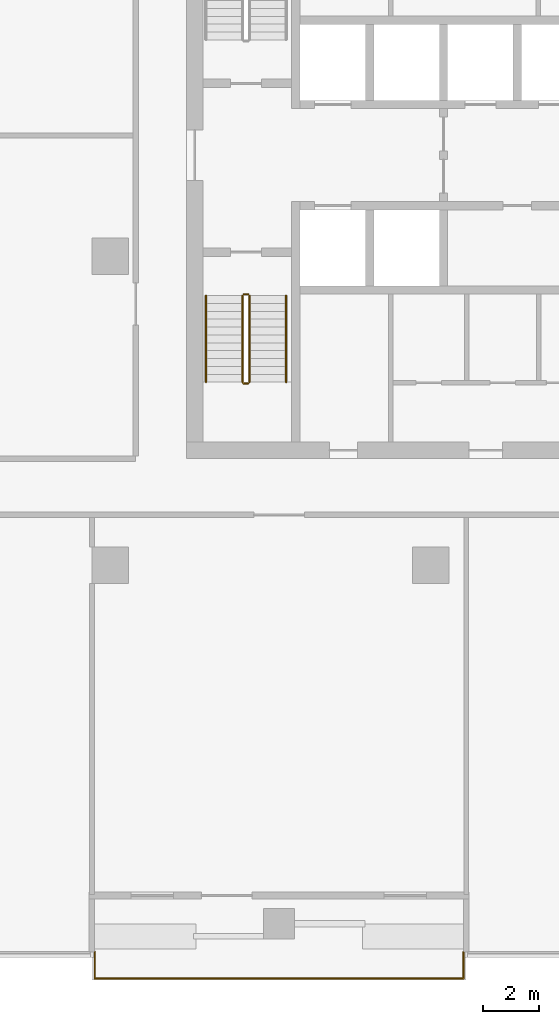
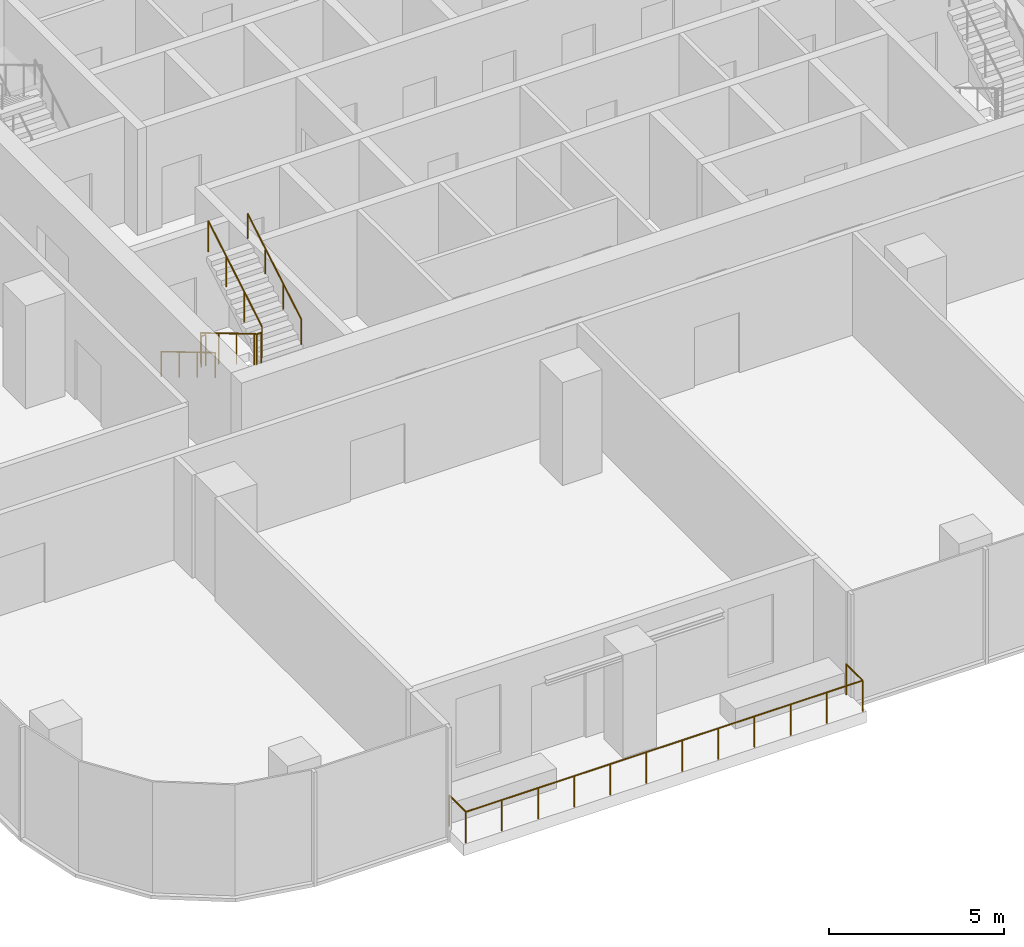
# One storey, part 11 of 14: 6 railings.
"""IFC4 building model written with IfcOpenShell, lengths in metres."""

import ifcopenshell
import ifcopenshell.guid

model = None  # the IFC model being written
_history = None  # IfcOwnerHistory: only IFC2X3 demands one
_inside = {}  # id of a spatial element -> (the spatial element, [elements in it])
_under = {}  # id of a project, library or spatial element -> (it, [spatial elements below it])
_declared = {}  # id of a project -> (the project, [libraries it declares])
_typed = {}  # id of a type object -> (the type object, [elements of that type])
_made_of = {}  # id of a material, layer set ... -> (it, [elements and type objects made of it])


def new_model(schema):
    """Start an empty IFC model of exactly this schema.

    Asked for "IFC4X3", IfcOpenShell would pick the latest addendum, in which some entities
    have other attributes; the version numbers below select the first issue.
    IFC2X3 requires an IfcOwnerHistory on every rooted entity: one is made here for all.
    """
    global model, _history
    if schema == "IFC4X3":
        model = ifcopenshell.file(schema_version=(4, 3, 0, 0))
    else:
        model = ifcopenshell.file(schema=schema)
    _inside.clear()
    _under.clear()
    _declared.clear()
    _typed.clear()
    _made_of.clear()
    _history = None
    if model.schema == "IFC2X3":
        org = make("IfcOrganization", Name="unknown")
        user = make(
            "IfcPersonAndOrganization",
            ThePerson=make("IfcPerson", FamilyName="unknown"),
            TheOrganization=org,
        )
        app = make(
            "IfcApplication",
            ApplicationDeveloper=org,
            Version="unknown",
            ApplicationFullName="unknown",
            ApplicationIdentifier="unknown",
        )
        _history = make(
            "IfcOwnerHistory",
            OwningUser=user,
            OwningApplication=app,
            ChangeAction="ADDED",
            CreationDate=0,
        )
    return model


def make(cls, **values):
    """One entity of the class cls with the attributes given. An attribute that is None is left unset."""
    return model.create_entity(
        cls, **{name: value for name, value in values.items() if value is not None}
    )


def rooted(cls, **values):
    """An entity with a GlobalId (a new one), such as an element, a storey or a relation."""
    return make(cls, GlobalId=ifcopenshell.guid.new(), OwnerHistory=_history, **values)


def si_unit(unit_type, name, prefix=None):
    """IfcSIUnit, for example si_unit("LENGTHUNIT", "METRE", prefix="MILLI")."""
    return make("IfcSIUnit", UnitType=unit_type, Prefix=prefix, Name=name)


def assignment(units):
    """IfcUnitAssignment: the units of a project."""
    return None if units is None else make("IfcUnitAssignment", Units=units)


def point(xyz):
    """IfcCartesianPoint."""
    return None if xyz is None else make("IfcCartesianPoint", Coordinates=xyz)


def direction(xyz):
    """IfcDirection."""
    return None if xyz is None else make("IfcDirection", DirectionRatios=xyz)


def frame(location, z_axis=None, x_axis=None):
    """IfcAxis2Placement3D, a coordinate frame: its origin and axes. An axis left out is left unset."""
    return make(
        "IfcAxis2Placement3D",
        Location=point(location),
        Axis=direction(z_axis),
        RefDirection=direction(x_axis),
    )


def frame_2d(location, x_axis=None):
    """IfcAxis2Placement2D, a coordinate frame in the plane: its origin and x axis."""
    return make(
        "IfcAxis2Placement2D", Location=point(location), RefDirection=direction(x_axis)
    )


def origin():
    """The frame at (0, 0, 0) with its axes left unset."""
    return frame((0.0, 0.0, 0.0))


def origin_2d():
    """The frame at (0, 0) in the plane with its x axis left unset."""
    return frame_2d((0.0, 0.0))


def place(relative_to, where):
    """IfcLocalPlacement: puts the frame where relative to a parent placement (None: the world)."""
    return make(
        "IfcLocalPlacement", PlacementRelTo=relative_to, RelativePlacement=where
    )


def context(
    kind, dimensions, precision=None, world=None, true_north=None, identifier=None
):
    """IfcGeometricRepresentationContext, for example the 3D "Model" context."""
    return make(
        "IfcGeometricRepresentationContext",
        ContextIdentifier=identifier,
        ContextType=kind,
        CoordinateSpaceDimension=dimensions,
        Precision=precision,
        WorldCoordinateSystem=world,
        TrueNorth=true_north,
    )


def subcontext(parent, identifier, kind, view, scale=None):
    """IfcGeometricRepresentationSubContext, for example "Body" below "Model"."""
    return make(
        "IfcGeometricRepresentationSubContext",
        ContextIdentifier=identifier,
        ContextType=kind,
        ParentContext=parent,
        TargetScale=scale,
        TargetView=view,
    )


def project(units=None, contexts=None):
    """IfcProject with its units and contexts."""
    return rooted(
        "IfcProject",
        Name="project",
        RepresentationContexts=contexts,
        UnitsInContext=assignment(units),
    )


def spatial(cls, under=None, at=None, **own):
    """A site, building, storey or space (cls), placed at a placement, below another one or the project."""
    s = rooted(cls, ObjectPlacement=at, **own)
    if under is not None:
        _under.setdefault(under.id(), (under, []))[1].append(s)
    return s


def profile(cls, at=None, kind="AREA", **sizes):
    """A parametric profile (cls). Its sizes go by their IFC names, for example OverallWidth=200.0."""
    return make(cls, ProfileType=kind, Position=at, **sizes)


def circle(**sizes):
    """IfcCircleProfileDef."""
    return profile("IfcCircleProfileDef", **sizes)


def extrude(swept, where, along, depth):
    """IfcExtrudedAreaSolid: the profile swept, set in the frame where, extruded along a direction by depth."""
    return make(
        "IfcExtrudedAreaSolid",
        SweptArea=swept,
        Position=where,
        ExtrudedDirection=direction(along),
        Depth=depth,
    )


def shape(context_of_items, identifier, shape_type, items):
    """IfcShapeRepresentation: the items that make up one representation, for example the "Body"."""
    return make(
        "IfcShapeRepresentation",
        ContextOfItems=context_of_items,
        RepresentationIdentifier=identifier,
        RepresentationType=shape_type,
        Items=items,
    )


def material(Name=None, Category=None):
    """IfcMaterial."""
    return make("IfcMaterial", Name=Name, Category=Category)


def made_of(thing, what):
    """Note that an element or type object is made of a material, layer set ...; save() writes the relation."""
    if what is not None:
        _made_of.setdefault(what.id(), (what, []))[1].append(thing)
    return thing


def type_object(cls, material=None, **own):
    """A type object (cls), such as IfcWallType, which elements share."""
    return made_of(rooted(cls, **own), material)


def element(
    cls,
    number,
    at=None,
    inside=None,
    cuts=None,
    type_object=None,
    material=None,
    context=None,
    identifier="Body",
    shape_type=None,
    held_by="IfcProductDefinitionShape",
    body=None,
    shapes=None,
    **own,
):
    """One element of the class cls, such as IfcWall. Its Tag is "e" and its number.

    at: its placement. inside: the storey or other place that contains it. cuts: it is an
    opening in that element (IfcRelVoidsElement). A single representation is given by context,
    identifier, shape_type and body (its items); several are given by shapes. held_by: the class
    of the entity that holds the representations. save() writes the other relations.
    """
    e = rooted(cls, Tag="e%d" % number, ObjectPlacement=at, **own)
    if body is not None:
        shapes = [shape(context, identifier, shape_type, body)]
    if shapes is not None:
        e.Representation = make(held_by, Representations=shapes)
    if inside is not None:
        _inside.setdefault(inside.id(), (inside, []))[1].append(e)
    if cuts is not None:
        rooted(
            "IfcRelVoidsElement", RelatingBuildingElement=cuts, RelatedOpeningElement=e
        )
    if type_object is not None:
        _typed.setdefault(type_object.id(), (type_object, []))[1].append(e)
    return made_of(e, material)


def aggregate(whole, parts):
    """IfcRelAggregates: a whole, such as a stair, and the parts it consists of."""
    return rooted("IfcRelAggregates", RelatingObject=whole, RelatedObjects=parts)


def save(model, path):
    """Write the relations noted so far, then the file.

    IfcRelAggregates (storeys below a building ...), IfcRelContainedInSpatialStructure (elements
    in a storey), IfcRelDefinesByType, IfcRelAssociatesMaterial and IfcRelDeclares: one each for
    every whole, place, type object, material and project.
    """
    for whole, parts in _under.values():
        aggregate(whole, parts)
    for where, things in _inside.values():
        rooted(
            "IfcRelContainedInSpatialStructure",
            RelatedElements=things,
            RelatingStructure=where,
        )
    for kind, things in _typed.values():
        rooted("IfcRelDefinesByType", RelatedObjects=things, RelatingType=kind)
    for what, things in _made_of.values():
        rooted("IfcRelAssociatesMaterial", RelatedObjects=things, RelatingMaterial=what)
    for by, libraries in _declared.values():
        rooted("IfcRelDeclares", RelatingContext=by, RelatedDefinitions=libraries)
    model.write(path)


model = new_model("IFC4")

# Units and contexts
model_context = context("Model", 3, precision=1e-05, world=origin(), true_north=direction((0.0, 1.0)))
body_context = subcontext(model_context, "Body", "Model", "MODEL_VIEW")
ifc_project = project(units=[si_unit("LENGTHUNIT", "METRE"), si_unit("AREAUNIT", "SQUARE_METRE"), si_unit("VOLUMEUNIT", "CUBIC_METRE"), si_unit("PLANEANGLEUNIT", "RADIAN"), si_unit("MASSUNIT", "GRAM", prefix="KILO")], contexts=[model_context])

# Site, building, storey
site_placement = place(None, origin())
site = spatial("IfcSite", under=ifc_project, at=site_placement, CompositionType="ELEMENT")
building_placement = place(site_placement, origin())
building = spatial("IfcBuilding", under=site, at=building_placement, Name="Mopane Tessera Tower", CompositionType="ELEMENT")
storey_placement = place(building_placement, frame((0.0, 0.0, 215.0)))
storey = spatial("IfcBuildingStorey", under=building, at=storey_placement, Name="L45", CompositionType="ELEMENT", Elevation=215.0)

# Railings
ifc_material_1 = material(Name="Powder-coated steel balustrade", Category="steel")
railing_type_1 = type_object("IfcRailingType", Name="Escape stair guard 1100 mm", PredefinedType="GUARDRAIL", material=ifc_material_1)
railing_1_placement = place(storey_placement, frame((-12.39990234375, -1.39990234375, 0.166748046875)))
element("IfcRailing", 1, at=railing_1_placement, inside=storey, type_object=railing_type_1, Name="L45 ST1 stair guard 1", PredefinedType="GUARDRAIL", context=body_context, shape_type="SweptSolid", body=[
    extrude(circle(Radius=0.02392578125, at=origin_2d()), frame((0.0, 0.0, 1.076171875), z_axis=(0.0, -0.859308565015, 0.511457515432), x_axis=(1.0, 0.0, 0.0)), (0.0, 0.0, 1.0), 3.58447265625),
    extrude(circle(Radius=0.02392578125, at=origin_2d()), frame((0.0, -3.080078125, 2.9091796875), z_axis=(0.705375805398, -0.708833529934, 0.0), x_axis=(0.708833529934, 0.705375805398, 0.0)), (0.0, 0.0, 1.0), 0.070556640625),
    extrude(circle(Radius=0.02392578125, at=origin_2d()), frame((0.0498046875, -3.130126953125, 2.9091796875), z_axis=(1.0, 0.0, 0.0), x_axis=(0.0, 1.0, 0.0)), (0.0, 0.0, 1.0), 0.150146484375),
    extrude(circle(Radius=0.02099609375, at=origin_2d()), origin(), (0.0, 0.0, 1.0), 1.052001953125),
    extrude(circle(Radius=0.02099609375, at=origin_2d()), frame((0.0, -1.026611328125, 0.611083984375)), (0.0, 0.0, 1.0), 1.052001953125),
    extrude(circle(Radius=0.02099609375, at=origin_2d()), frame((0.0, -2.053466796875, 1.22216796875)), (0.0, 0.0, 1.0), 1.052001953125),
    extrude(circle(Radius=0.02099609375, at=origin_2d()), frame((0.0, -3.080078125, 1.833251953125)), (0.0, 0.0, 1.0), 1.052001953125),
    extrude(circle(Radius=0.02099609375, at=origin_2d()), frame((0.0498046875, -3.130126953125, 1.833251953125)), (0.0, 0.0, 1.0), 1.052001953125),
    extrude(circle(Radius=0.02099609375, at=origin_2d()), frame((0.199951171875, -3.130126953125, 1.833251953125)), (0.0, 0.0, 1.0), 1.052001953125),
])
railing_2_placement = place(storey_placement, frame((-12.14990234375, -4.47998046875, 2.166748046875)))
element("IfcRailing", 2, at=railing_2_placement, inside=storey, type_object=railing_type_1, Name="L45 ST1 stair guard 2", PredefinedType="GUARDRAIL", context=body_context, shape_type="SweptSolid", body=[
    extrude(circle(Radius=0.02392578125, at=origin_2d()), frame((0.0, 0.0, 1.076171875), z_axis=(0.0, 0.859308565015, 0.511457515432), x_axis=(-1.0, 0.0, 0.0)), (0.0, 0.0, 1.0), 3.58447265625),
    extrude(circle(Radius=0.02099609375, at=origin_2d()), origin(), (0.0, 0.0, 1.0), 1.052001953125),
    extrude(circle(Radius=0.02099609375, at=origin_2d()), frame((0.0, 1.026611328125, 0.611083984375)), (0.0, 0.0, 1.0), 1.052001953125),
    extrude(circle(Radius=0.02099609375, at=origin_2d()), frame((0.0, 2.053466796875, 1.22216796875)), (0.0, 0.0, 1.0), 1.052001953125),
    extrude(circle(Radius=0.02099609375, at=origin_2d()), frame((0.0, 3.080078125, 1.833251953125)), (0.0, 0.0, 1.0), 1.052001953125),
])
railing_3_placement = place(storey_placement, frame((-12.35009765625, -1.35009765625, 0.0)))
element("IfcRailing", 3, at=railing_3_placement, inside=storey, type_object=railing_type_1, Name="L45 ST1 stair guard 3", PredefinedType="GUARDRAIL", context=body_context, shape_type="SweptSolid", body=[
    extrude(circle(Radius=0.02392578125, at=origin_2d()), frame((0.0, 0.0, 1.076171875), z_axis=(1.0, 0.0, 0.0), x_axis=(0.0, 1.0, 0.0)), (0.0, 0.0, 1.0), 0.150146484375),
    extrude(circle(Radius=0.02099609375, at=origin_2d()), origin(), (0.0, 0.0, 1.0), 1.052001953125),
    extrude(circle(Radius=0.02099609375, at=origin_2d()), frame((0.150146484375, 0.0, 0.0)), (0.0, 0.0, 1.0), 1.052001953125),
])
ifc_material_2 = material(Name="Powder-coated steel balustrade", Category="steel")
railing_type_2 = type_object("IfcRailingType", Name="Escape stair handrail 900 mm", PredefinedType="HANDRAIL", material=ifc_material_2)
railing_4_placement = place(storey_placement, frame((-13.699951171875, -1.39990234375, 0.166748046875)))
element("IfcRailing", 4, at=railing_4_placement, inside=storey, type_object=railing_type_2, Name="L45 ST1 stair handrail 1", PredefinedType="HANDRAIL", context=body_context, shape_type="SweptSolid", body=[
    extrude(circle(Radius=0.02392578125, at=origin_2d()), frame((0.0, 0.0, 0.8759765625), z_axis=(0.0, -0.859308565015, 0.511457515432), x_axis=(1.0, 0.0, 0.0)), (0.0, 0.0, 1.0), 3.58447265625),
    extrude(circle(Radius=0.02099609375, at=origin_2d()), origin(), (0.0, 0.0, 1.0), 0.851806640625),
    extrude(circle(Radius=0.02099609375, at=origin_2d()), frame((0.0, -1.026611328125, 0.611083984375)), (0.0, 0.0, 1.0), 0.851806640625),
    extrude(circle(Radius=0.02099609375, at=origin_2d()), frame((0.0, -2.053466796875, 1.22216796875)), (0.0, 0.0, 1.0), 0.851806640625),
    extrude(circle(Radius=0.02099609375, at=origin_2d()), frame((0.0, -3.080078125, 1.833251953125)), (0.0, 0.0, 1.0), 0.851806640625),
])
railing_5_placement = place(storey_placement, frame((-10.85009765625, -4.47998046875, 2.166748046875)))
element("IfcRailing", 5, at=railing_5_placement, inside=storey, type_object=railing_type_2, Name="L45 ST1 stair handrail 2", PredefinedType="HANDRAIL", context=body_context, shape_type="SweptSolid", body=[
    extrude(circle(Radius=0.02392578125, at=origin_2d()), frame((0.0, 0.0, 0.8759765625), z_axis=(0.0, 0.859308565015, 0.511457515432), x_axis=(-1.0, 0.0, 0.0)), (0.0, 0.0, 1.0), 3.58447265625),
    extrude(circle(Radius=0.02099609375, at=origin_2d()), origin(), (0.0, 0.0, 1.0), 0.851806640625),
    extrude(circle(Radius=0.02099609375, at=origin_2d()), frame((0.0, 1.026611328125, 0.611083984375)), (0.0, 0.0, 1.0), 0.851806640625),
    extrude(circle(Radius=0.02099609375, at=origin_2d()), frame((0.0, 2.053466796875, 1.22216796875)), (0.0, 0.0, 1.0), 0.851806640625),
    extrude(circle(Radius=0.02099609375, at=origin_2d()), frame((0.0, 3.080078125, 1.833251953125)), (0.0, 0.0, 1.0), 0.851806640625),
])
ifc_material_3 = material(Name="Stainless steel S316", Category="steel")
railing_type_3 = type_object("IfcRailingType", Name="Terrace guard 1100", PredefinedType="GUARDRAIL", material=ifc_material_3)
railing_6_placement = place(storey_placement, frame((-17.659912109375, -24.75, 0.0)))
element("IfcRailing", 6, at=railing_6_placement, inside=storey, type_object=railing_type_3, Name="e:nw:L45:N1:guard", PredefinedType="GUARDRAIL", context=body_context, shape_type="SweptSolid", body=[
    extrude(circle(Radius=0.02392578125, at=origin_2d()), frame((0.0, 0.0, 1.076171875), z_axis=(0.0, -1.0, 0.0), x_axis=(1.0, 0.0, 0.0)), (0.0, 0.0, 1.0), 0.949951171875),
    extrude(circle(Radius=0.02392578125, at=origin_2d()), frame((0.0, -0.949951171875, 1.076171875), z_axis=(1.0, 0.0, 0.0), x_axis=(0.0, 1.0, 0.0)), (0.0, 0.0, 1.0), 13.119873046875),
    extrude(circle(Radius=0.02392578125, at=origin_2d()), frame((13.119873046875, -0.949951171875, 1.076171875), z_axis=(0.0, 1.0, 0.0), x_axis=(-1.0, 0.0, 0.0)), (0.0, 0.0, 1.0), 0.949951171875),
    extrude(circle(Radius=0.02099609375, at=origin_2d()), origin(), (0.0, 0.0, 1.0), 1.052001953125),
    extrude(circle(Radius=0.02099609375, at=origin_2d()), frame((0.0, -0.949951171875, 0.0)), (0.0, 0.0, 1.0), 1.052001953125),
    extrude(circle(Radius=0.02099609375, at=origin_2d()), frame((1.192626953125, -0.949951171875, 0.0)), (0.0, 0.0, 1.0), 1.052001953125),
    extrude(circle(Radius=0.02099609375, at=origin_2d()), frame((2.385498046875, -0.949951171875, 0.0)), (0.0, 0.0, 1.0), 1.052001953125),
    extrude(circle(Radius=0.02099609375, at=origin_2d()), frame((3.578125, -0.949951171875, 0.0)), (0.0, 0.0, 1.0), 1.052001953125),
    extrude(circle(Radius=0.02099609375, at=origin_2d()), frame((4.770751953125, -0.949951171875, 0.0)), (0.0, 0.0, 1.0), 1.052001953125),
    extrude(circle(Radius=0.02099609375, at=origin_2d()), frame((5.963623046875, -0.949951171875, 0.0)), (0.0, 0.0, 1.0), 1.052001953125),
    extrude(circle(Radius=0.02099609375, at=origin_2d()), frame((7.15625, -0.949951171875, 0.0)), (0.0, 0.0, 1.0), 1.052001953125),
    extrude(circle(Radius=0.02099609375, at=origin_2d()), frame((8.34912109375, -0.949951171875, 0.0)), (0.0, 0.0, 1.0), 1.052001953125),
    extrude(circle(Radius=0.02099609375, at=origin_2d()), frame((9.541748046875, -0.949951171875, 0.0)), (0.0, 0.0, 1.0), 1.052001953125),
    extrude(circle(Radius=0.02099609375, at=origin_2d()), frame((10.734375, -0.949951171875, 0.0)), (0.0, 0.0, 1.0), 1.052001953125),
    extrude(circle(Radius=0.02099609375, at=origin_2d()), frame((11.92724609375, -0.949951171875, 0.0)), (0.0, 0.0, 1.0), 1.052001953125),
    extrude(circle(Radius=0.02099609375, at=origin_2d()), frame((13.119873046875, -0.949951171875, 0.0)), (0.0, 0.0, 1.0), 1.052001953125),
    extrude(circle(Radius=0.02099609375, at=origin_2d()), frame((13.119873046875, 0.0, 0.0)), (0.0, 0.0, 1.0), 1.052001953125),
])

save(model, "model.ifc")
